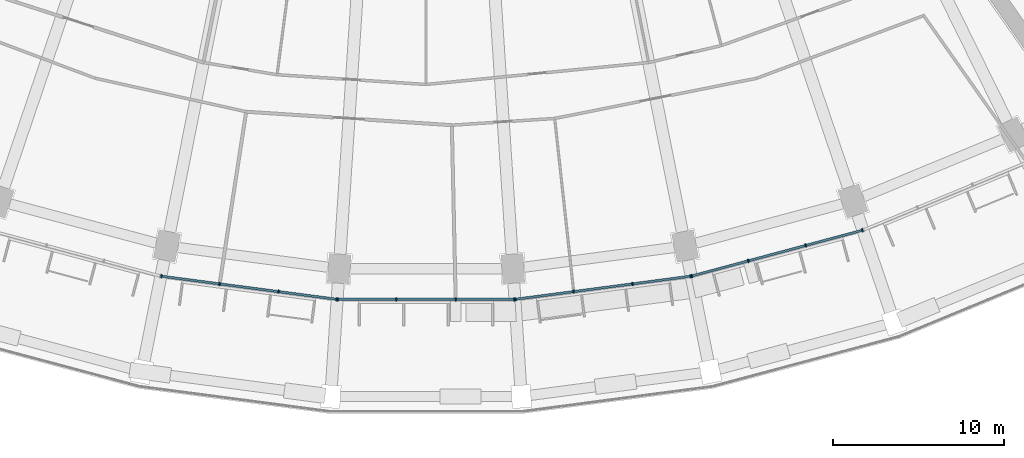
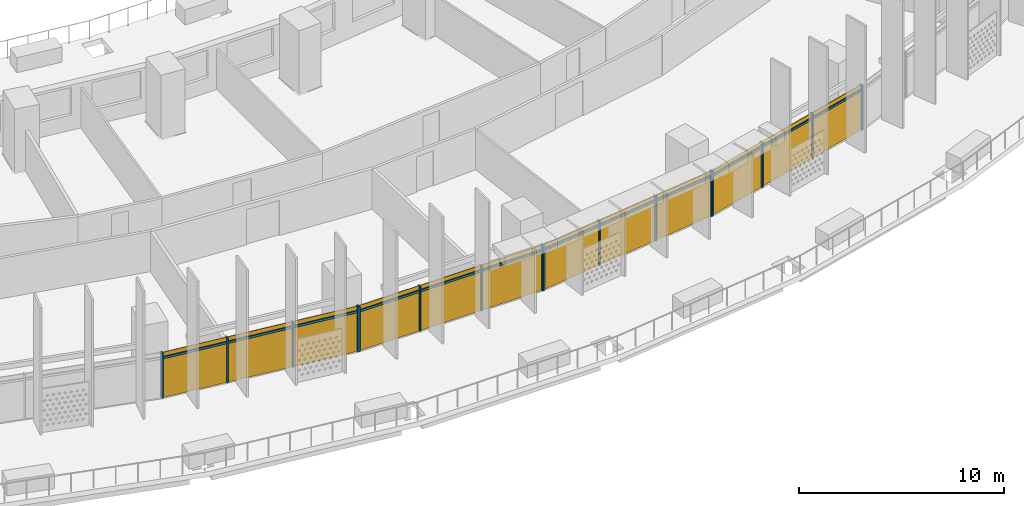
# One storey, part 21 of 35: 28 members, 4 curtain walls.
"""IFC4 building model written with IfcOpenShell, lengths in metres."""

from ifc_helpers import new_model, si_unit, direction, frame, origin, origin_2d, place, context, subcontext, project, spatial, rectangle, extrude, material, material_profile, profile_set, type_object, element, aggregate, save


model = new_model("IFC4")

# Units and contexts
model_context = context("Model", 3, precision=1e-05, world=origin(), true_north=direction((0.0, 1.0)))
body_context = subcontext(model_context, "Body", "Model", "MODEL_VIEW")
ifc_project = project(units=[si_unit("LENGTHUNIT", "METRE"), si_unit("AREAUNIT", "SQUARE_METRE"), si_unit("VOLUMEUNIT", "CUBIC_METRE"), si_unit("PLANEANGLEUNIT", "RADIAN"), si_unit("MASSUNIT", "GRAM", prefix="KILO")], contexts=[model_context])

# Member
ifc_material = material(Name="Aluminium 6063-T6 anodised", Category="aluminium")
ifc_material_profile_1 = material_profile(ifc_material, rectangle(XDim=0.199951171875, YDim=0.070068359375, at=origin_2d()))
ifc_profile_set_1 = profile_set([ifc_material_profile_1], Name="Aluminium 6063-T6 anodised")
member_type_1 = type_object("IfcMemberType", Name="Mullion 70 x 200 aluminium", PredefinedType="MULLION", material=ifc_profile_set_1)
site_placement = place(None, origin())
building_placement = place(site_placement, origin())
storey_placement = place(building_placement, frame((0.0, 0.0, 40.5)))
member_1_placement = place(storey_placement, frame((-15.4912109375, -78.02490234375, 0.0), z_axis=(0.0, 0.0, 1.0), x_axis=(0.13052619222, 0.991444861374, 0.0)))
member_1 = element("IfcMember", 1, at=member_1_placement, type_object=member_type_1, Name="e-cw1-L06-out07/M00", PredefinedType="MULLION", context=body_context, shape_type="SweptSolid", body=[
    extrude(rectangle(XDim=0.199951171875, YDim=0.070068359375, at=origin_2d()), origin(), (0.0, 0.0, 1.0), 2.699951171875),
])

member_2_placement = place(storey_placement, frame((-12.082763671875, -78.4736328125, 0.0), z_axis=(0.0, 0.0, 1.0), x_axis=(0.13052619222, 0.991444861374, 0.0)))
member_2 = element("IfcMember", 2, at=member_2_placement, type_object=member_type_1, Name="e-cw1-L06-out07/M01", PredefinedType="MULLION", context=body_context, shape_type="SweptSolid", body=[
    extrude(rectangle(XDim=0.199951171875, YDim=0.070068359375, at=origin_2d()), origin(), (0.0, 0.0, 1.0), 2.699951171875),
])

member_3_placement = place(storey_placement, frame((-8.639404296875, -78.927001953125, 0.0), z_axis=(0.0, 0.0, 1.0), x_axis=(0.13052619222, 0.991444861374, 0.0)))
member_3 = element("IfcMember", 3, at=member_3_placement, type_object=member_type_1, Name="e-cw1-L06-out07/M02", PredefinedType="MULLION", context=body_context, shape_type="SweptSolid", body=[
    extrude(rectangle(XDim=0.199951171875, YDim=0.070068359375, at=origin_2d()), origin(), (0.0, 0.0, 1.0), 2.699951171875),
])

member_4_placement = place(storey_placement, frame((-5.23095703125, -79.375732421875, 0.0), z_axis=(0.0, 0.0, 1.0), x_axis=(0.13052619222, 0.991444861374, 0.0)))
member_4 = element("IfcMember", 4, at=member_4_placement, type_object=member_type_1, Name="e-cw1-L06-out07/M03", PredefinedType="MULLION", context=body_context, shape_type="SweptSolid", body=[
    extrude(rectangle(XDim=0.199951171875, YDim=0.070068359375, at=origin_2d()), origin(), (0.0, 0.0, 1.0), 2.699951171875),
])

member_5_placement = place(storey_placement, frame((-5.17431640625, -79.37939453125, 0.0), z_axis=(0.0, 0.0, 1.0), x_axis=(0.0, 1.0, 0.0)))
member_5 = element("IfcMember", 5, at=member_5_placement, type_object=member_type_1, Name="e-cw1-L06-out08/M00", PredefinedType="MULLION", context=body_context, shape_type="SweptSolid", body=[
    extrude(rectangle(XDim=0.199951171875, YDim=0.070068359375, at=origin_2d()), origin(), (0.0, 0.0, 1.0), 2.699951171875),
])

member_6_placement = place(storey_placement, frame((-1.736572265625, -79.37939453125, 0.0), z_axis=(0.0, 0.0, 1.0), x_axis=(0.0, 1.0, 0.0)))
member_6 = element("IfcMember", 6, at=member_6_placement, type_object=member_type_1, Name="e-cw1-L06-out08/M01", PredefinedType="MULLION", context=body_context, shape_type="SweptSolid", body=[
    extrude(rectangle(XDim=0.199951171875, YDim=0.070068359375, at=origin_2d()), origin(), (0.0, 0.0, 1.0), 2.699951171875),
])

member_7_placement = place(storey_placement, frame((1.736572265625, -79.37939453125, 0.0), z_axis=(0.0, 0.0, 1.0), x_axis=(0.0, 1.0, 0.0)))
member_7 = element("IfcMember", 7, at=member_7_placement, type_object=member_type_1, Name="e-cw1-L06-out08/M02", PredefinedType="MULLION", context=body_context, shape_type="SweptSolid", body=[
    extrude(rectangle(XDim=0.199951171875, YDim=0.070068359375, at=origin_2d()), origin(), (0.0, 0.0, 1.0), 2.699951171875),
])

member_8_placement = place(storey_placement, frame((5.17431640625, -79.37939453125, 0.0), z_axis=(0.0, 0.0, 1.0), x_axis=(0.0, 1.0, 0.0)))
member_8 = element("IfcMember", 8, at=member_8_placement, type_object=member_type_1, Name="e-cw1-L06-out08/M03", PredefinedType="MULLION", context=body_context, shape_type="SweptSolid", body=[
    extrude(rectangle(XDim=0.199951171875, YDim=0.070068359375, at=origin_2d()), origin(), (0.0, 0.0, 1.0), 2.699951171875),
])

member_9_placement = place(storey_placement, frame((5.23095703125, -79.375732421875, 0.0), z_axis=(0.0, 0.0, 1.0), x_axis=(-0.13052619222, 0.991444861374, 0.0)))
member_9 = element("IfcMember", 9, at=member_9_placement, type_object=member_type_1, Name="e-cw1-L06-out09/M00", PredefinedType="MULLION", context=body_context, shape_type="SweptSolid", body=[
    extrude(rectangle(XDim=0.199951171875, YDim=0.070068359375, at=origin_2d()), origin(), (0.0, 0.0, 1.0), 2.699951171875),
])

member_10_placement = place(storey_placement, frame((8.639404296875, -78.927001953125, 0.0), z_axis=(0.0, 0.0, 1.0), x_axis=(-0.13052619222, 0.991444861374, 0.0)))
member_10 = element("IfcMember", 10, at=member_10_placement, type_object=member_type_1, Name="e-cw1-L06-out09/M01", PredefinedType="MULLION", context=body_context, shape_type="SweptSolid", body=[
    extrude(rectangle(XDim=0.199951171875, YDim=0.070068359375, at=origin_2d()), origin(), (0.0, 0.0, 1.0), 2.699951171875),
])

member_11_placement = place(storey_placement, frame((12.082763671875, -78.4736328125, 0.0), z_axis=(0.0, 0.0, 1.0), x_axis=(-0.13052619222, 0.991444861374, 0.0)))
member_11 = element("IfcMember", 11, at=member_11_placement, type_object=member_type_1, Name="e-cw1-L06-out09/M02", PredefinedType="MULLION", context=body_context, shape_type="SweptSolid", body=[
    extrude(rectangle(XDim=0.199951171875, YDim=0.070068359375, at=origin_2d()), origin(), (0.0, 0.0, 1.0), 2.699951171875),
])

member_12_placement = place(storey_placement, frame((15.4912109375, -78.02490234375, 0.0), z_axis=(0.0, 0.0, 1.0), x_axis=(-0.13052619222, 0.991444861374, 0.0)))
member_12 = element("IfcMember", 12, at=member_12_placement, type_object=member_type_1, Name="e-cw1-L06-out09/M03", PredefinedType="MULLION", context=body_context, shape_type="SweptSolid", body=[
    extrude(rectangle(XDim=0.199951171875, YDim=0.070068359375, at=origin_2d()), origin(), (0.0, 0.0, 1.0), 2.699951171875),
])

member_13_placement = place(storey_placement, frame((15.546875, -78.013916015625, 0.0), z_axis=(0.0, 0.0, 1.0), x_axis=(-0.258819045103, 0.965925826289, 0.0)))
member_13 = element("IfcMember", 13, at=member_13_placement, type_object=member_type_1, Name="e-cw1-L06-out10/M00", PredefinedType="MULLION", context=body_context, shape_type="SweptSolid", body=[
    extrude(rectangle(XDim=0.199951171875, YDim=0.070068359375, at=origin_2d()), origin(), (0.0, 0.0, 1.0), 2.699951171875),
])

member_14_placement = place(storey_placement, frame((18.86767578125, -77.1240234375, 0.0), z_axis=(0.0, 0.0, 1.0), x_axis=(-0.258819045103, 0.965925826289, 0.0)))
member_14 = element("IfcMember", 14, at=member_14_placement, type_object=member_type_1, Name="e-cw1-L06-out10/M01", PredefinedType="MULLION", context=body_context, shape_type="SweptSolid", body=[
    extrude(rectangle(XDim=0.199951171875, YDim=0.070068359375, at=origin_2d()), origin(), (0.0, 0.0, 1.0), 2.699951171875),
])

member_15_placement = place(storey_placement, frame((22.22216796875, -76.225341796875, 0.0), z_axis=(0.0, 0.0, 1.0), x_axis=(-0.258819045103, 0.965925826289, 0.0)))
member_15 = element("IfcMember", 15, at=member_15_placement, type_object=member_type_1, Name="e-cw1-L06-out10/M02", PredefinedType="MULLION", context=body_context, shape_type="SweptSolid", body=[
    extrude(rectangle(XDim=0.199951171875, YDim=0.070068359375, at=origin_2d()), origin(), (0.0, 0.0, 1.0), 2.699951171875),
])

member_16_placement = place(storey_placement, frame((25.54296875, -75.33544921875, 0.0), z_axis=(0.0, 0.0, 1.0), x_axis=(-0.258819045103, 0.965925826289, 0.0)))
member_16 = element("IfcMember", 16, at=member_16_placement, type_object=member_type_1, Name="e-cw1-L06-out10/M03", PredefinedType="MULLION", context=body_context, shape_type="SweptSolid", body=[
    extrude(rectangle(XDim=0.199951171875, YDim=0.070068359375, at=origin_2d()), origin(), (0.0, 0.0, 1.0), 2.699951171875),
])

ifc_material_profile_2 = material_profile(ifc_material, rectangle(XDim=0.139892578125, YDim=0.1201171875, at=origin_2d()))
ifc_profile_set_2 = profile_set([ifc_material_profile_2], Name="Aluminium 6063-T6 anodised")
member_type_2 = type_object("IfcMemberType", Name="Transom 120 x 140 aluminium", PredefinedType="USERDEFINED", material=ifc_profile_set_2)
member_17_placement = place(storey_placement, frame((-15.45654296875, -78.029541015625, 2.39990234375), z_axis=(0.9914412138, -0.130553895303, 0.0), x_axis=(0.130553895303, 0.9914412138, 0.0)))
member_17 = element("IfcMember", 17, at=member_17_placement, type_object=member_type_2, Name="e-cw1-L06-out07/T00", ObjectType="TRANSOM", PredefinedType="USERDEFINED", context=body_context, shape_type="SweptSolid", body=[
    extrude(rectangle(XDim=0.139892578125, YDim=0.1201171875, at=origin_2d()), origin(), (0.0, 0.0, 1.0), 3.367919921875),
])

member_18_placement = place(storey_placement, frame((-12.048095703125, -78.478271484375, 2.39990234375), z_axis=(0.991447700941, -0.130504621753, 0.0), x_axis=(0.130504621753, 0.991447700941, 0.0)))
member_18 = element("IfcMember", 18, at=member_18_placement, type_object=member_type_2, Name="e-cw1-L06-out07/T01", ObjectType="TRANSOM", PredefinedType="USERDEFINED", context=body_context, shape_type="SweptSolid", body=[
    extrude(rectangle(XDim=0.139892578125, YDim=0.1201171875, at=origin_2d()), origin(), (0.0, 0.0, 1.0), 3.40283203125),
])

member_19_placement = place(storey_placement, frame((-8.604736328125, -78.931640625, 2.39990234375), z_axis=(0.991450594138, -0.130482640159, 0.0), x_axis=(0.130482640159, 0.991450594138, 0.0)))
member_19 = element("IfcMember", 19, at=member_19_placement, type_object=member_type_2, Name="e-cw1-L06-out07/T02", ObjectType="TRANSOM", PredefinedType="USERDEFINED", context=body_context, shape_type="SweptSolid", body=[
    extrude(rectangle(XDim=0.139892578125, YDim=0.1201171875, at=origin_2d()), origin(), (0.0, 0.0, 1.0), 3.367919921875),
])

member_20_placement = place(storey_placement, frame((-5.139404296875, -79.37939453125, 2.39990234375), z_axis=(1.0, 0.0, 0.0), x_axis=(0.0, 1.0, 0.0)))
member_20 = element("IfcMember", 20, at=member_20_placement, type_object=member_type_2, Name="e-cw1-L06-out08/T00", ObjectType="TRANSOM", PredefinedType="USERDEFINED", context=body_context, shape_type="SweptSolid", body=[
    extrude(rectangle(XDim=0.139892578125, YDim=0.1201171875, at=origin_2d()), origin(), (0.0, 0.0, 1.0), 3.367919921875),
])

member_21_placement = place(storey_placement, frame((-1.701416015625, -79.37939453125, 2.39990234375), z_axis=(1.0, 0.0, 0.0), x_axis=(0.0, 1.0, 0.0)))
member_21 = element("IfcMember", 21, at=member_21_placement, type_object=member_type_2, Name="e-cw1-L06-out08/T01", ObjectType="TRANSOM", PredefinedType="USERDEFINED", context=body_context, shape_type="SweptSolid", body=[
    extrude(rectangle(XDim=0.139892578125, YDim=0.1201171875, at=origin_2d()), origin(), (0.0, 0.0, 1.0), 3.40283203125),
])

member_22_placement = place(storey_placement, frame((1.771484375, -79.37939453125, 2.39990234375), z_axis=(1.0, 0.0, 0.0), x_axis=(0.0, 1.0, 0.0)))
member_22 = element("IfcMember", 22, at=member_22_placement, type_object=member_type_2, Name="e-cw1-L06-out08/T02", ObjectType="TRANSOM", PredefinedType="USERDEFINED", context=body_context, shape_type="SweptSolid", body=[
    extrude(rectangle(XDim=0.139892578125, YDim=0.1201171875, at=origin_2d()), origin(), (0.0, 0.0, 1.0), 3.367919921875),
])

member_23_placement = place(storey_placement, frame((5.265625, -79.37109375, 2.39990234375), z_axis=(0.991450594138, 0.130482640159, 0.0), x_axis=(-0.130482640159, 0.991450594138, 0.0)))
member_23 = element("IfcMember", 23, at=member_23_placement, type_object=member_type_2, Name="e-cw1-L06-out09/T00", ObjectType="TRANSOM", PredefinedType="USERDEFINED", context=body_context, shape_type="SweptSolid", body=[
    extrude(rectangle(XDim=0.139892578125, YDim=0.1201171875, at=origin_2d()), origin(), (0.0, 0.0, 1.0), 3.367919921875),
])

member_24_placement = place(storey_placement, frame((8.67431640625, -78.92236328125, 2.39990234375), z_axis=(0.991447700941, 0.130504621753, 0.0), x_axis=(-0.130504621753, 0.991447700941, 0.0)))
member_24 = element("IfcMember", 24, at=member_24_placement, type_object=member_type_2, Name="e-cw1-L06-out09/T01", ObjectType="TRANSOM", PredefinedType="USERDEFINED", context=body_context, shape_type="SweptSolid", body=[
    extrude(rectangle(XDim=0.139892578125, YDim=0.1201171875, at=origin_2d()), origin(), (0.0, 0.0, 1.0), 3.40283203125),
])

member_25_placement = place(storey_placement, frame((12.117431640625, -78.46923828125, 2.39990234375), z_axis=(0.9914412138, 0.130553895303, 0.0), x_axis=(-0.130553895303, 0.9914412138, 0.0)))
member_25 = element("IfcMember", 25, at=member_25_placement, type_object=member_type_2, Name="e-cw1-L06-out09/T02", ObjectType="TRANSOM", PredefinedType="USERDEFINED", context=body_context, shape_type="SweptSolid", body=[
    extrude(rectangle(XDim=0.139892578125, YDim=0.1201171875, at=origin_2d()), origin(), (0.0, 0.0, 1.0), 3.367919921875),
])

member_26_placement = place(storey_placement, frame((15.58056640625, -78.0048828125, 2.39990234375), z_axis=(0.965915368772, 0.258858069935, 0.0), x_axis=(-0.258858069935, 0.965915368772, 0.0)))
member_26 = element("IfcMember", 26, at=member_26_placement, type_object=member_type_2, Name="e-cw1-L06-out10/T00", ObjectType="TRANSOM", PredefinedType="USERDEFINED", context=body_context, shape_type="SweptSolid", body=[
    extrude(rectangle(XDim=0.139892578125, YDim=0.1201171875, at=origin_2d()), origin(), (0.0, 0.0, 1.0), 3.367919921875),
])

member_27_placement = place(storey_placement, frame((18.9013671875, -77.114990234375, 2.39990234375), z_axis=(0.965937804901, 0.258774336176, 0.0), x_axis=(-0.258774336176, 0.965937804901, 0.0)))
member_27 = element("IfcMember", 27, at=member_27_placement, type_object=member_type_2, Name="e-cw1-L06-out10/T01", ObjectType="TRANSOM", PredefinedType="USERDEFINED", context=body_context, shape_type="SweptSolid", body=[
    extrude(rectangle(XDim=0.139892578125, YDim=0.1201171875, at=origin_2d()), origin(), (0.0, 0.0, 1.0), 3.403076171875),
])

member_28_placement = place(storey_placement, frame((22.256103515625, -76.21630859375, 2.39990234375), z_axis=(0.965915368772, 0.258858069935, 0.0), x_axis=(-0.258858069935, 0.965915368772, 0.0)))
member_28 = element("IfcMember", 28, at=member_28_placement, type_object=member_type_2, Name="e-cw1-L06-out10/T02", ObjectType="TRANSOM", PredefinedType="USERDEFINED", context=body_context, shape_type="SweptSolid", body=[
    extrude(rectangle(XDim=0.139892578125, YDim=0.1201171875, at=origin_2d()), origin(), (0.0, 0.0, 1.0), 3.367919921875),
])

# Site, building, storey
site = spatial("IfcSite", under=ifc_project, at=site_placement, CompositionType="ELEMENT")
building = spatial("IfcBuilding", under=site, at=building_placement, Name="Qamariyya Broadcast Tower", CompositionType="ELEMENT")
storey = spatial("IfcBuildingStorey", under=building, at=storey_placement, Name="L06", CompositionType="ELEMENT", Elevation=40.5)

# Curtain wall
curtain_wall_type = type_object("IfcCurtainWallType", Name="Unitised curtain wall, anodised aluminium", PredefinedType="NOTDEFINED", material=ifc_material)
curtain_wall_1_placement = place(storey_placement, origin())
curtain_wall_1 = element("IfcCurtainWall", 29, at=curtain_wall_1_placement, inside=storey, type_object=curtain_wall_type, Name="e-cw1-L06-out07", PredefinedType="NOTDEFINED", context=body_context, shape_type="SweptSolid", body=[
    extrude(rectangle(XDim=3.367919921875, YDim=0.031982421875, at=origin_2d()), frame((-13.786865234375, -78.24951171875, 0.0), x_axis=(0.991445519925, -0.130521189931, 0.0)), (0.0, 0.0, 1.0), 2.340087890625),
    extrude(rectangle(XDim=3.367919921875, YDim=0.031982421875, at=origin_2d()), frame((-13.786865234375, -78.24951171875, 2.4599609375), x_axis=(0.991445519925, -0.130521189931, 0.0)), (0.0, 0.0, 1.0), 0.239990234375),
    extrude(rectangle(XDim=3.40283203125, YDim=0.031982421875, at=origin_2d()), frame((-10.361083984375, -78.700439453125, 0.0), x_axis=(0.991445519925, -0.130521189931, 0.0)), (0.0, 0.0, 1.0), 2.340087890625),
    extrude(rectangle(XDim=3.40283203125, YDim=0.031982421875, at=origin_2d()), frame((-10.361083984375, -78.700439453125, 2.4599609375), x_axis=(0.991445519925, -0.130521189931, 0.0)), (0.0, 0.0, 1.0), 0.239990234375),
    extrude(rectangle(XDim=3.367919921875, YDim=0.031982421875, at=origin_2d()), frame((-6.935302734375, -79.1513671875, 0.0), x_axis=(0.991445519925, -0.130521189931, 0.0)), (0.0, 0.0, 1.0), 2.340087890625),
    extrude(rectangle(XDim=3.367919921875, YDim=0.031982421875, at=origin_2d()), frame((-6.935302734375, -79.1513671875, 2.4599609375), x_axis=(0.991445519925, -0.130521189931, 0.0)), (0.0, 0.0, 1.0), 0.239990234375),
])

aggregate(curtain_wall_1, [member_1, member_2, member_3, member_4, member_17, member_18, member_19])

curtain_wall_2_placement = place(storey_placement, origin())
curtain_wall_2 = element("IfcCurtainWall", 30, at=curtain_wall_2_placement, inside=storey, type_object=curtain_wall_type, Name="e-cw1-L06-out08", PredefinedType="NOTDEFINED", context=body_context, shape_type="SweptSolid", body=[
    extrude(rectangle(XDim=3.367919921875, YDim=0.031982421875, at=origin_2d()), frame((-3.45556640625, -79.37939453125, 0.0), x_axis=(1.0, 0.0, 0.0)), (0.0, 0.0, 1.0), 2.340087890625),
    extrude(rectangle(XDim=3.367919921875, YDim=0.031982421875, at=origin_2d()), frame((-3.45556640625, -79.37939453125, 2.4599609375), x_axis=(1.0, 0.0, 0.0)), (0.0, 0.0, 1.0), 0.239990234375),
    extrude(rectangle(XDim=3.403076171875, YDim=0.031982421875, at=origin_2d()), frame((0.0, -79.37939453125, 0.0), x_axis=(1.0, 0.0, 0.0)), (0.0, 0.0, 1.0), 2.340087890625),
    extrude(rectangle(XDim=3.403076171875, YDim=0.031982421875, at=origin_2d()), frame((0.0, -79.37939453125, 2.4599609375), x_axis=(1.0, 0.0, 0.0)), (0.0, 0.0, 1.0), 0.239990234375),
    extrude(rectangle(XDim=3.367919921875, YDim=0.031982421875, at=origin_2d()), frame((3.45556640625, -79.37939453125, 0.0), x_axis=(1.0, 0.0, 0.0)), (0.0, 0.0, 1.0), 2.340087890625),
    extrude(rectangle(XDim=3.367919921875, YDim=0.031982421875, at=origin_2d()), frame((3.45556640625, -79.37939453125, 2.4599609375), x_axis=(1.0, 0.0, 0.0)), (0.0, 0.0, 1.0), 0.239990234375),
])

aggregate(curtain_wall_2, [member_5, member_6, member_7, member_8, member_20, member_21, member_22])

curtain_wall_3_placement = place(storey_placement, origin())
curtain_wall_3 = element("IfcCurtainWall", 31, at=curtain_wall_3_placement, inside=storey, type_object=curtain_wall_type, Name="e-cw1-L06-out09", PredefinedType="NOTDEFINED", context=body_context, shape_type="SweptSolid", body=[
    extrude(rectangle(XDim=3.367919921875, YDim=0.031982421875, at=origin_2d()), frame((6.935302734375, -79.1513671875, 0.0), x_axis=(0.991445519925, 0.130521189931, 0.0)), (0.0, 0.0, 1.0), 2.340087890625),
    extrude(rectangle(XDim=3.367919921875, YDim=0.031982421875, at=origin_2d()), frame((6.935302734375, -79.1513671875, 2.4599609375), x_axis=(0.991445519925, 0.130521189931, 0.0)), (0.0, 0.0, 1.0), 0.239990234375),
    extrude(rectangle(XDim=3.40283203125, YDim=0.031982421875, at=origin_2d()), frame((10.361083984375, -78.700439453125, 0.0), x_axis=(0.991445519925, 0.130521189931, 0.0)), (0.0, 0.0, 1.0), 2.340087890625),
    extrude(rectangle(XDim=3.40283203125, YDim=0.031982421875, at=origin_2d()), frame((10.361083984375, -78.700439453125, 2.4599609375), x_axis=(0.991445519925, 0.130521189931, 0.0)), (0.0, 0.0, 1.0), 0.239990234375),
    extrude(rectangle(XDim=3.367919921875, YDim=0.031982421875, at=origin_2d()), frame((13.786865234375, -78.24951171875, 0.0), x_axis=(0.991445519925, 0.130521189931, 0.0)), (0.0, 0.0, 1.0), 2.340087890625),
    extrude(rectangle(XDim=3.367919921875, YDim=0.031982421875, at=origin_2d()), frame((13.786865234375, -78.24951171875, 2.4599609375), x_axis=(0.991445519925, 0.130521189931, 0.0)), (0.0, 0.0, 1.0), 0.239990234375),
])

aggregate(curtain_wall_3, [member_9, member_10, member_11, member_12, member_23, member_24, member_25])

curtain_wall_4_placement = place(storey_placement, origin())
curtain_wall_4 = element("IfcCurtainWall", 32, at=curtain_wall_4_placement, inside=storey, type_object=curtain_wall_type, Name="e-cw1-L06-out10", PredefinedType="NOTDEFINED", context=body_context, shape_type="SweptSolid", body=[
    extrude(rectangle(XDim=3.367919921875, YDim=0.031982421875, at=origin_2d()), frame((17.207275390625, -77.569091796875, 0.0), x_axis=(0.965925039578, 0.258821981129, 0.0)), (0.0, 0.0, 1.0), 2.340087890625),
    extrude(rectangle(XDim=3.367919921875, YDim=0.031982421875, at=origin_2d()), frame((17.207275390625, -77.569091796875, 2.4599609375), x_axis=(0.965925039578, 0.258821981129, 0.0)), (0.0, 0.0, 1.0), 0.239990234375),
    extrude(rectangle(XDim=3.40283203125, YDim=0.031982421875, at=origin_2d()), frame((20.544921875, -76.6748046875, 0.0), x_axis=(0.965925039578, 0.258821981129, 0.0)), (0.0, 0.0, 1.0), 2.340087890625),
    extrude(rectangle(XDim=3.40283203125, YDim=0.031982421875, at=origin_2d()), frame((20.544921875, -76.6748046875, 2.4599609375), x_axis=(0.965925039578, 0.258821981129, 0.0)), (0.0, 0.0, 1.0), 0.239990234375),
    extrude(rectangle(XDim=3.367919921875, YDim=0.031982421875, at=origin_2d()), frame((23.882568359375, -75.7802734375, 0.0), x_axis=(0.965925039578, 0.258821981129, 0.0)), (0.0, 0.0, 1.0), 2.340087890625),
    extrude(rectangle(XDim=3.367919921875, YDim=0.031982421875, at=origin_2d()), frame((23.882568359375, -75.7802734375, 2.4599609375), x_axis=(0.965925039578, 0.258821981129, 0.0)), (0.0, 0.0, 1.0), 0.239990234375),
])

aggregate(curtain_wall_4, [member_13, member_14, member_15, member_16, member_26, member_27, member_28])

save(model, "model.ifc")
